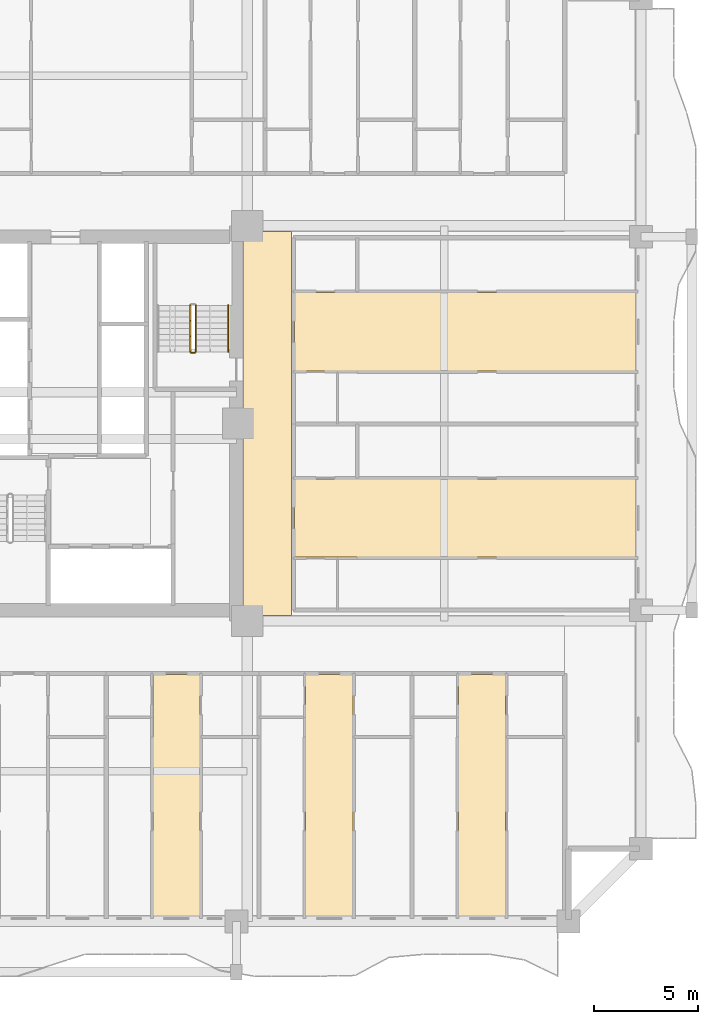
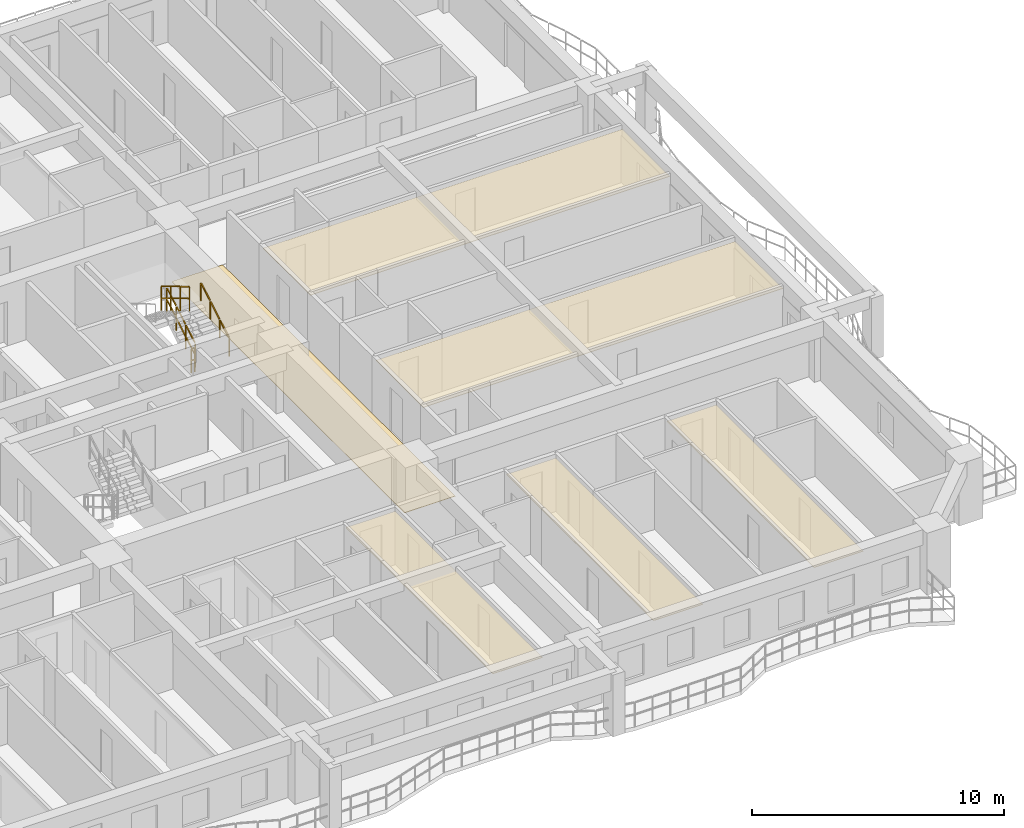
# One storey, part 15 of 17: 6 coverings, 4 railings.
"""IFC4 building model written with IfcOpenShell, lengths in metres."""

import ifcopenshell
import ifcopenshell.guid

model = None  # the IFC model being written
_history = None  # IfcOwnerHistory: only IFC2X3 demands one
_inside = {}  # id of a spatial element -> (the spatial element, [elements in it])
_under = {}  # id of a project, library or spatial element -> (it, [spatial elements below it])
_declared = {}  # id of a project -> (the project, [libraries it declares])
_typed = {}  # id of a type object -> (the type object, [elements of that type])
_made_of = {}  # id of a material, layer set ... -> (it, [elements and type objects made of it])


def new_model(schema):
    """Start an empty IFC model of exactly this schema.

    Asked for "IFC4X3", IfcOpenShell would pick the latest addendum, in which some entities
    have other attributes; the version numbers below select the first issue.
    IFC2X3 requires an IfcOwnerHistory on every rooted entity: one is made here for all.
    """
    global model, _history
    if schema == "IFC4X3":
        model = ifcopenshell.file(schema_version=(4, 3, 0, 0))
    else:
        model = ifcopenshell.file(schema=schema)
    _inside.clear()
    _under.clear()
    _declared.clear()
    _typed.clear()
    _made_of.clear()
    _history = None
    if model.schema == "IFC2X3":
        org = make("IfcOrganization", Name="unknown")
        user = make(
            "IfcPersonAndOrganization",
            ThePerson=make("IfcPerson", FamilyName="unknown"),
            TheOrganization=org,
        )
        app = make(
            "IfcApplication",
            ApplicationDeveloper=org,
            Version="unknown",
            ApplicationFullName="unknown",
            ApplicationIdentifier="unknown",
        )
        _history = make(
            "IfcOwnerHistory",
            OwningUser=user,
            OwningApplication=app,
            ChangeAction="ADDED",
            CreationDate=0,
        )
    return model


def make(cls, **values):
    """One entity of the class cls with the attributes given. An attribute that is None is left unset."""
    return model.create_entity(
        cls, **{name: value for name, value in values.items() if value is not None}
    )


def rooted(cls, **values):
    """An entity with a GlobalId (a new one), such as an element, a storey or a relation."""
    return make(cls, GlobalId=ifcopenshell.guid.new(), OwnerHistory=_history, **values)


def si_unit(unit_type, name, prefix=None):
    """IfcSIUnit, for example si_unit("LENGTHUNIT", "METRE", prefix="MILLI")."""
    return make("IfcSIUnit", UnitType=unit_type, Prefix=prefix, Name=name)


def assignment(units):
    """IfcUnitAssignment: the units of a project."""
    return None if units is None else make("IfcUnitAssignment", Units=units)


def point(xyz):
    """IfcCartesianPoint."""
    return None if xyz is None else make("IfcCartesianPoint", Coordinates=xyz)


def direction(xyz):
    """IfcDirection."""
    return None if xyz is None else make("IfcDirection", DirectionRatios=xyz)


def frame(location, z_axis=None, x_axis=None):
    """IfcAxis2Placement3D, a coordinate frame: its origin and axes. An axis left out is left unset."""
    return make(
        "IfcAxis2Placement3D",
        Location=point(location),
        Axis=direction(z_axis),
        RefDirection=direction(x_axis),
    )


def frame_2d(location, x_axis=None):
    """IfcAxis2Placement2D, a coordinate frame in the plane: its origin and x axis."""
    return make(
        "IfcAxis2Placement2D", Location=point(location), RefDirection=direction(x_axis)
    )


def origin():
    """The frame at (0, 0, 0) with its axes left unset."""
    return frame((0.0, 0.0, 0.0))


def origin_2d():
    """The frame at (0, 0) in the plane with its x axis left unset."""
    return frame_2d((0.0, 0.0))


def place(relative_to, where):
    """IfcLocalPlacement: puts the frame where relative to a parent placement (None: the world)."""
    return make(
        "IfcLocalPlacement", PlacementRelTo=relative_to, RelativePlacement=where
    )


def context(
    kind, dimensions, precision=None, world=None, true_north=None, identifier=None
):
    """IfcGeometricRepresentationContext, for example the 3D "Model" context."""
    return make(
        "IfcGeometricRepresentationContext",
        ContextIdentifier=identifier,
        ContextType=kind,
        CoordinateSpaceDimension=dimensions,
        Precision=precision,
        WorldCoordinateSystem=world,
        TrueNorth=true_north,
    )


def subcontext(parent, identifier, kind, view, scale=None):
    """IfcGeometricRepresentationSubContext, for example "Body" below "Model"."""
    return make(
        "IfcGeometricRepresentationSubContext",
        ContextIdentifier=identifier,
        ContextType=kind,
        ParentContext=parent,
        TargetScale=scale,
        TargetView=view,
    )


def project(units=None, contexts=None):
    """IfcProject with its units and contexts."""
    return rooted(
        "IfcProject",
        Name="project",
        RepresentationContexts=contexts,
        UnitsInContext=assignment(units),
    )


def spatial(cls, under=None, at=None, **own):
    """A site, building, storey or space (cls), placed at a placement, below another one or the project."""
    s = rooted(cls, ObjectPlacement=at, **own)
    if under is not None:
        _under.setdefault(under.id(), (under, []))[1].append(s)
    return s


def polyline(points):
    """IfcPolyline through the points."""
    return make("IfcPolyline", Points=[point(p) for p in points])


def profile(cls, at=None, kind="AREA", **sizes):
    """A parametric profile (cls). Its sizes go by their IFC names, for example OverallWidth=200.0."""
    return make(cls, ProfileType=kind, Position=at, **sizes)


def rectangle(**sizes):
    """IfcRectangleProfileDef."""
    return profile("IfcRectangleProfileDef", **sizes)


def outline(outer, holes=None, kind="AREA"):
    """IfcArbitraryClosedProfileDef: a profile drawn as a closed curve; with holes, ...WithVoids."""
    if holes is None:
        return make("IfcArbitraryClosedProfileDef", ProfileType=kind, OuterCurve=outer)
    return make(
        "IfcArbitraryProfileDefWithVoids",
        ProfileType=kind,
        OuterCurve=outer,
        InnerCurves=holes,
    )


def extrude(swept, where, along, depth):
    """IfcExtrudedAreaSolid: the profile swept, set in the frame where, extruded along a direction by depth."""
    return make(
        "IfcExtrudedAreaSolid",
        SweptArea=swept,
        Position=where,
        ExtrudedDirection=direction(along),
        Depth=depth,
    )


def shape(context_of_items, identifier, shape_type, items):
    """IfcShapeRepresentation: the items that make up one representation, for example the "Body"."""
    return make(
        "IfcShapeRepresentation",
        ContextOfItems=context_of_items,
        RepresentationIdentifier=identifier,
        RepresentationType=shape_type,
        Items=items,
    )


def material(Name=None, Category=None):
    """IfcMaterial."""
    return make("IfcMaterial", Name=Name, Category=Category)


def layer(
    of_material, thickness, ventilated=None, Name=None, Category=None, Priority=None
):
    """IfcMaterialLayer: one layer of a wall or slab, of a material (None: an air gap)."""
    return make(
        "IfcMaterialLayer",
        Material=of_material,
        LayerThickness=thickness,
        IsVentilated=ventilated,
        Name=Name,
        Category=Category,
        Priority=Priority,
    )


def layer_set(layers, Name=None):
    """IfcMaterialLayerSet."""
    return make("IfcMaterialLayerSet", MaterialLayers=layers, LayerSetName=Name)


def made_of(thing, what):
    """Note that an element or type object is made of a material, layer set ...; save() writes the relation."""
    if what is not None:
        _made_of.setdefault(what.id(), (what, []))[1].append(thing)
    return thing


def type_object(cls, material=None, **own):
    """A type object (cls), such as IfcWallType, which elements share."""
    return made_of(rooted(cls, **own), material)


def element(
    cls,
    number,
    at=None,
    inside=None,
    cuts=None,
    type_object=None,
    material=None,
    context=None,
    identifier="Body",
    shape_type=None,
    held_by="IfcProductDefinitionShape",
    body=None,
    shapes=None,
    **own,
):
    """One element of the class cls, such as IfcWall. Its Tag is "e" and its number.

    at: its placement. inside: the storey or other place that contains it. cuts: it is an
    opening in that element (IfcRelVoidsElement). A single representation is given by context,
    identifier, shape_type and body (its items); several are given by shapes. held_by: the class
    of the entity that holds the representations. save() writes the other relations.
    """
    e = rooted(cls, Tag="e%d" % number, ObjectPlacement=at, **own)
    if body is not None:
        shapes = [shape(context, identifier, shape_type, body)]
    if shapes is not None:
        e.Representation = make(held_by, Representations=shapes)
    if inside is not None:
        _inside.setdefault(inside.id(), (inside, []))[1].append(e)
    if cuts is not None:
        rooted(
            "IfcRelVoidsElement", RelatingBuildingElement=cuts, RelatedOpeningElement=e
        )
    if type_object is not None:
        _typed.setdefault(type_object.id(), (type_object, []))[1].append(e)
    return made_of(e, material)


def aggregate(whole, parts):
    """IfcRelAggregates: a whole, such as a stair, and the parts it consists of."""
    return rooted("IfcRelAggregates", RelatingObject=whole, RelatedObjects=parts)


def save(model, path):
    """Write the relations noted so far, then the file.

    IfcRelAggregates (storeys below a building ...), IfcRelContainedInSpatialStructure (elements
    in a storey), IfcRelDefinesByType, IfcRelAssociatesMaterial and IfcRelDeclares: one each for
    every whole, place, type object, material and project.
    """
    for whole, parts in _under.values():
        aggregate(whole, parts)
    for where, things in _inside.values():
        rooted(
            "IfcRelContainedInSpatialStructure",
            RelatedElements=things,
            RelatingStructure=where,
        )
    for kind, things in _typed.values():
        rooted("IfcRelDefinesByType", RelatedObjects=things, RelatingType=kind)
    for what, things in _made_of.values():
        rooted("IfcRelAssociatesMaterial", RelatedObjects=things, RelatingMaterial=what)
    for by, libraries in _declared.values():
        rooted("IfcRelDeclares", RelatingContext=by, RelatedDefinitions=libraries)
    model.write(path)


model = new_model("IFC4")

# Units and contexts
model_context = context("Model", 3, precision=1e-05, world=origin(), true_north=direction((0.0, 1.0)))
body_context = subcontext(model_context, "Body", "Model", "MODEL_VIEW")
ifc_project = project(units=[si_unit("LENGTHUNIT", "METRE"), si_unit("AREAUNIT", "SQUARE_METRE"), si_unit("VOLUMEUNIT", "CUBIC_METRE"), si_unit("PLANEANGLEUNIT", "RADIAN"), si_unit("MASSUNIT", "GRAM", prefix="KILO")], contexts=[model_context])

# Site, building, storey
site_placement = place(None, origin())
site = spatial("IfcSite", under=ifc_project, at=site_placement, CompositionType="ELEMENT")
building_placement = place(site_placement, origin())
building = spatial("IfcBuilding", under=site, at=building_placement, Name="Saelheon Loggia Tower", CompositionType="ELEMENT")
storey_placement = place(building_placement, frame((0.0, 0.0, 22.39990234375)))
storey = spatial("IfcBuildingStorey", under=building, at=storey_placement, Name="L06", CompositionType="ELEMENT", Elevation=22.39990234375)

# Coverings
ifc_material_1 = material(Name="Mineral-Fibre Acoustic Ceiling Board", Category="gypsum")
ifc_layer_1 = layer(ifc_material_1, 0.02490234375)
ifc_layer_set_1 = layer_set([ifc_layer_1], Name="Mineral-Fibre Acoustic Ceiling Board")
covering_type_1 = type_object("IfcCoveringType", Name="Cov_Ceiling_Acoustic", PredefinedType="CEILING", material=ifc_layer_set_1)
covering_1_placement = place(storey_placement, frame((0.0, 0.0, 2.53515625)))
element("IfcCovering", 1, at=covering_1_placement, inside=storey, type_object=covering_type_1, Name="L06 Acoustic Suspended Ceiling", PredefinedType="CEILING", context=body_context, shape_type="SweptSolid", body=[
    extrude(outline(polyline([(40.47314453125, 3.199951171875), (42.739990234375, 3.199951171875), (42.739990234375, 14.89990234375), (40.47314453125, 14.89990234375), (40.47314453125, 3.199951171875)])), origin(), (0.0, 0.0, 1.0), 0.02490234375),
])
covering_2_placement = place(storey_placement, frame((0.0, 0.0, 2.53515625)))
element("IfcCovering", 2, at=covering_2_placement, inside=storey, type_object=covering_type_1, Name="L06 Acoustic Suspended Ceiling", PredefinedType="CEILING", context=body_context, shape_type="SweptSolid", body=[
    extrude(outline(polyline([(47.8388671875, 3.199951171875), (50.10546875, 3.199951171875), (50.10546875, 14.89990234375), (47.8388671875, 14.89990234375), (47.8388671875, 3.199951171875)])), origin(), (0.0, 0.0, 1.0), 0.02490234375),
])
covering_3_placement = place(storey_placement, frame((0.0, 0.0, 2.53515625)))
element("IfcCovering", 3, at=covering_3_placement, inside=storey, type_object=covering_type_1, Name="L06 Acoustic Suspended Ceiling", PredefinedType="CEILING", context=body_context, shape_type="SweptSolid", body=[
    extrude(outline(polyline([(55.204345703125, 3.199951171875), (57.47119140625, 3.199951171875), (57.47119140625, 14.89990234375), (55.204345703125, 14.89990234375), (55.204345703125, 3.199951171875)])), origin(), (0.0, 0.0, 1.0), 0.02490234375),
])
covering_4_placement = place(storey_placement, frame((0.0, 0.0, 2.53515625)))
element("IfcCovering", 4, at=covering_4_placement, inside=storey, type_object=covering_type_1, Name="L06 Acoustic Suspended Ceiling", PredefinedType="CEILING", context=body_context, shape_type="SweptSolid", body=[
    extrude(outline(polyline([(47.300048828125, 20.56298828125), (63.800048828125, 20.56298828125), (63.800048828125, 24.324951171875), (47.300048828125, 24.324951171875), (47.300048828125, 20.56298828125)])), origin(), (0.0, 0.0, 1.0), 0.02490234375),
])
covering_5_placement = place(storey_placement, frame((0.0, 0.0, 2.53515625)))
element("IfcCovering", 5, at=covering_5_placement, inside=storey, type_object=covering_type_1, Name="L06 Acoustic Suspended Ceiling", PredefinedType="CEILING", context=body_context, shape_type="SweptSolid", body=[
    extrude(outline(polyline([(47.300048828125, 29.5380859375), (63.800048828125, 29.5380859375), (63.800048828125, 33.300048828125), (47.300048828125, 33.300048828125), (47.300048828125, 29.5380859375)])), origin(), (0.0, 0.0, 1.0), 0.02490234375),
])
ifc_material_2 = material(Name="Vitrified Porcelain Floor Tile", Category="ceramic")
ifc_layer_2 = layer(ifc_material_2, 0.02001953125)
ifc_layer_set_2 = layer_set([ifc_layer_2], Name="Vitrified Porcelain Floor Tile")
covering_type_2 = type_object("IfcCoveringType", Name="Cov_Floor_Porcelain", PredefinedType="FLOORING", material=ifc_layer_set_2)
covering_6_placement = place(storey_placement, origin())
element("IfcCovering", 6, at=covering_6_placement, inside=storey, type_object=covering_type_2, Name="L06 Corridor Porcelain Flooring", PredefinedType="FLOORING", context=body_context, shape_type="SweptSolid", body=[
    extrude(outline(polyline([(44.820068359375, 17.75), (47.14990234375, 17.75), (47.14990234375, 36.25), (44.820068359375, 36.25), (44.820068359375, 17.75)])), origin(), (0.0, 0.0, 1.0), 0.02001953125),
])

# Railings
ifc_material_3 = material(Name="Galvanised Steel S275 Stairwell Guardrail", Category="steel")
railing_type_1 = type_object("IfcRailingType", Name="Guard_StairWell_RL_STG", PredefinedType="GUARDRAIL", material=ifc_material_3)
railing_1_placement = place(storey_placement, frame((42.5400390625, 30.449951171875, 0.166748046875)))
element("IfcRailing", 7, at=railing_1_placement, inside=storey, type_object=railing_type_1, Name="L06 ST2 stair guard 1", PredefinedType="GUARDRAIL", context=body_context, shape_type="SweptSolid", body=[
    extrude(rectangle(XDim=0.048095703125, YDim=0.048095703125, at=origin_2d()), frame((0.0, 0.028564453125, 1.19287109375), z_axis=(0.0, 0.859305625298, 0.511462454469), x_axis=(-1.0, 0.0, 0.0)), (0.0, 0.0, 1.0), 0.802490234375),
    extrude(rectangle(XDim=0.048095703125, YDim=0.048095703125, at=origin_2d()), frame((0.0, 0.028564453125, 0.616943359375), z_axis=(0.0, 0.859305625298, 0.511462454469), x_axis=(-1.0, 0.0, 0.0)), (0.0, 0.0, 1.0), 0.802490234375),
    extrude(rectangle(XDim=0.048095703125, YDim=0.048095703125, at=origin_2d()), frame((0.0, 0.775146484375, 1.63720703125), z_axis=(0.0, 0.859305625298, 0.511462454469), x_axis=(-1.0, 0.0, 0.0)), (0.0, 0.0, 1.0), 0.802490234375),
    extrude(rectangle(XDim=0.048095703125, YDim=0.048095703125, at=origin_2d()), frame((0.0, 0.775146484375, 1.061279296875), z_axis=(0.0, 0.859305625298, 0.511462454469), x_axis=(-1.0, 0.0, 0.0)), (0.0, 0.0, 1.0), 0.802490234375),
    extrude(rectangle(XDim=0.048095703125, YDim=0.048095703125, at=origin_2d()), frame((0.0, 1.52197265625, 2.081787109375), z_axis=(0.0, 0.859305625298, 0.511462454469), x_axis=(-1.0, 0.0, 0.0)), (0.0, 0.0, 1.0), 0.802490234375),
    extrude(rectangle(XDim=0.048095703125, YDim=0.048095703125, at=origin_2d()), frame((0.0, 1.52197265625, 1.505859375), z_axis=(0.0, 0.859305625298, 0.511462454469), x_axis=(-1.0, 0.0, 0.0)), (0.0, 0.0, 1.0), 0.802490234375),
    extrude(rectangle(XDim=0.0419921875, YDim=0.0419921875, at=origin_2d()), origin(), (0.0, 0.0, 1.0), 1.14794921875),
    extrude(rectangle(XDim=0.0419921875, YDim=0.0419921875, at=origin_2d()), frame((0.0, 0.74658203125, 0.4443359375)), (0.0, 0.0, 1.0), 1.14794921875),
    extrude(rectangle(XDim=0.0419921875, YDim=0.0419921875, at=origin_2d()), frame((0.0, 1.493408203125, 0.888916015625)), (0.0, 0.0, 1.0), 1.14794921875),
    extrude(rectangle(XDim=0.0419921875, YDim=0.0419921875, at=origin_2d()), frame((0.0, 2.239990234375, 1.333251953125)), (0.0, 0.0, 1.0), 1.14794921875),
])
railing_2_placement = place(storey_placement, frame((42.280029296875, 32.68994140625, 1.666748046875)))
element("IfcRailing", 8, at=railing_2_placement, inside=storey, type_object=railing_type_1, Name="L06 ST2 stair guard 3", PredefinedType="GUARDRAIL", context=body_context, shape_type="SweptSolid", body=[
    extrude(rectangle(XDim=0.048095703125, YDim=0.048095703125, at=origin_2d()), frame((0.0, -0.028564453125, 1.19287109375), z_axis=(0.0, -0.859305625298, 0.511462454469), x_axis=(1.0, 0.0, 0.0)), (0.0, 0.0, 1.0), 0.802490234375),
    extrude(rectangle(XDim=0.048095703125, YDim=0.048095703125, at=origin_2d()), frame((0.0, -0.028564453125, 0.616943359375), z_axis=(0.0, -0.859305625298, 0.511462454469), x_axis=(1.0, 0.0, 0.0)), (0.0, 0.0, 1.0), 0.802490234375),
    extrude(rectangle(XDim=0.048095703125, YDim=0.048095703125, at=origin_2d()), frame((0.0, -0.775146484375, 1.63720703125), z_axis=(0.0, -0.859305625298, 0.511462454469), x_axis=(1.0, 0.0, 0.0)), (0.0, 0.0, 1.0), 0.802490234375),
    extrude(rectangle(XDim=0.048095703125, YDim=0.048095703125, at=origin_2d()), frame((0.0, -0.775146484375, 1.061279296875), z_axis=(0.0, -0.859305625298, 0.511462454469), x_axis=(1.0, 0.0, 0.0)), (0.0, 0.0, 1.0), 0.802490234375),
    extrude(rectangle(XDim=0.048095703125, YDim=0.048095703125, at=origin_2d()), frame((0.0, -1.52197265625, 2.081787109375), z_axis=(0.0, -0.859305625298, 0.511462454469), x_axis=(1.0, 0.0, 0.0)), (0.0, 0.0, 1.0), 0.802490234375),
    extrude(rectangle(XDim=0.048095703125, YDim=0.048095703125, at=origin_2d()), frame((0.0, -1.52197265625, 1.505859375), z_axis=(0.0, -0.859305625298, 0.511462454469), x_axis=(1.0, 0.0, 0.0)), (0.0, 0.0, 1.0), 0.802490234375),
    extrude(rectangle(XDim=0.0419921875, YDim=0.0419921875, at=origin_2d()), origin(), (0.0, 0.0, 1.0), 1.14794921875),
    extrude(rectangle(XDim=0.0419921875, YDim=0.0419921875, at=origin_2d()), frame((0.0, -0.74658203125, 0.4443359375)), (0.0, 0.0, 1.0), 1.14794921875),
    extrude(rectangle(XDim=0.0419921875, YDim=0.0419921875, at=origin_2d()), frame((0.0, -1.493408203125, 0.888916015625)), (0.0, 0.0, 1.0), 1.14794921875),
    extrude(rectangle(XDim=0.0419921875, YDim=0.0419921875, at=origin_2d()), frame((0.0, -2.239990234375, 1.333251953125)), (0.0, 0.0, 1.0), 1.14794921875),
])
railing_3_placement = place(storey_placement, frame((42.489990234375, 30.39990234375, 0.0)))
element("IfcRailing", 9, at=railing_3_placement, inside=storey, type_object=railing_type_1, Name="L06 ST2 stair guard 4", PredefinedType="GUARDRAIL", context=body_context, shape_type="SweptSolid", body=[
    extrude(rectangle(XDim=0.048095703125, YDim=0.048095703125, at=origin_2d()), frame((-0.033203125, 0.0, 1.17578125), z_axis=(-1.0, 0.0, 0.0), x_axis=(0.0, -1.0, 0.0)), (0.0, 0.0, 1.0), 0.093505859375),
    extrude(rectangle(XDim=0.048095703125, YDim=0.048095703125, at=origin_2d()), frame((-0.033203125, 0.0, 0.60009765625), z_axis=(-1.0, 0.0, 0.0), x_axis=(0.0, -1.0, 0.0)), (0.0, 0.0, 1.0), 0.093505859375),
    extrude(rectangle(XDim=0.0419921875, YDim=0.0419921875, at=origin_2d()), origin(), (0.0, 0.0, 1.0), 1.14794921875),
    extrude(rectangle(XDim=0.0419921875, YDim=0.0419921875, at=origin_2d()), frame((-0.159912109375, 0.0, 0.0)), (0.0, 0.0, 1.0), 1.14794921875),
])
ifc_material_4 = material(Name="Stainless Steel 304 Tubular Handrail", Category="steel")
railing_type_2 = type_object("IfcRailingType", Name="Handrail_Stair_RL_HR1", PredefinedType="HANDRAIL", material=ifc_material_4)
railing_4_placement = place(storey_placement, frame((44.10009765625, 30.449951171875, 0.166748046875)))
element("IfcRailing", 10, at=railing_4_placement, inside=storey, type_object=railing_type_2, Name="L06 ST2 stair handrail 1", PredefinedType="HANDRAIL", context=body_context, shape_type="SweptSolid", body=[
    extrude(rectangle(XDim=0.048095703125, YDim=0.048095703125, at=origin_2d()), frame((0.0, 0.028564453125, 0.892822265625), z_axis=(0.0, 0.859305625298, 0.511462454469), x_axis=(-1.0, 0.0, 0.0)), (0.0, 0.0, 1.0), 0.802490234375),
    extrude(rectangle(XDim=0.048095703125, YDim=0.048095703125, at=origin_2d()), frame((0.0, 0.775146484375, 1.337158203125), z_axis=(0.0, 0.859305625298, 0.511462454469), x_axis=(-1.0, 0.0, 0.0)), (0.0, 0.0, 1.0), 0.802490234375),
    extrude(rectangle(XDim=0.048095703125, YDim=0.048095703125, at=origin_2d()), frame((0.0, 1.52197265625, 1.78173828125), z_axis=(0.0, 0.859305625298, 0.511462454469), x_axis=(-1.0, 0.0, 0.0)), (0.0, 0.0, 1.0), 0.802490234375),
    extrude(rectangle(XDim=0.0419921875, YDim=0.0419921875, at=origin_2d()), origin(), (0.0, 0.0, 1.0), 0.847900390625),
    extrude(rectangle(XDim=0.0419921875, YDim=0.0419921875, at=origin_2d()), frame((0.0, 0.74658203125, 0.4443359375)), (0.0, 0.0, 1.0), 0.847900390625),
    extrude(rectangle(XDim=0.0419921875, YDim=0.0419921875, at=origin_2d()), frame((0.0, 1.493408203125, 0.888916015625)), (0.0, 0.0, 1.0), 0.847900390625),
    extrude(rectangle(XDim=0.0419921875, YDim=0.0419921875, at=origin_2d()), frame((0.0, 2.239990234375, 1.333251953125)), (0.0, 0.0, 1.0), 0.847900390625),
])

save(model, "model.ifc")
